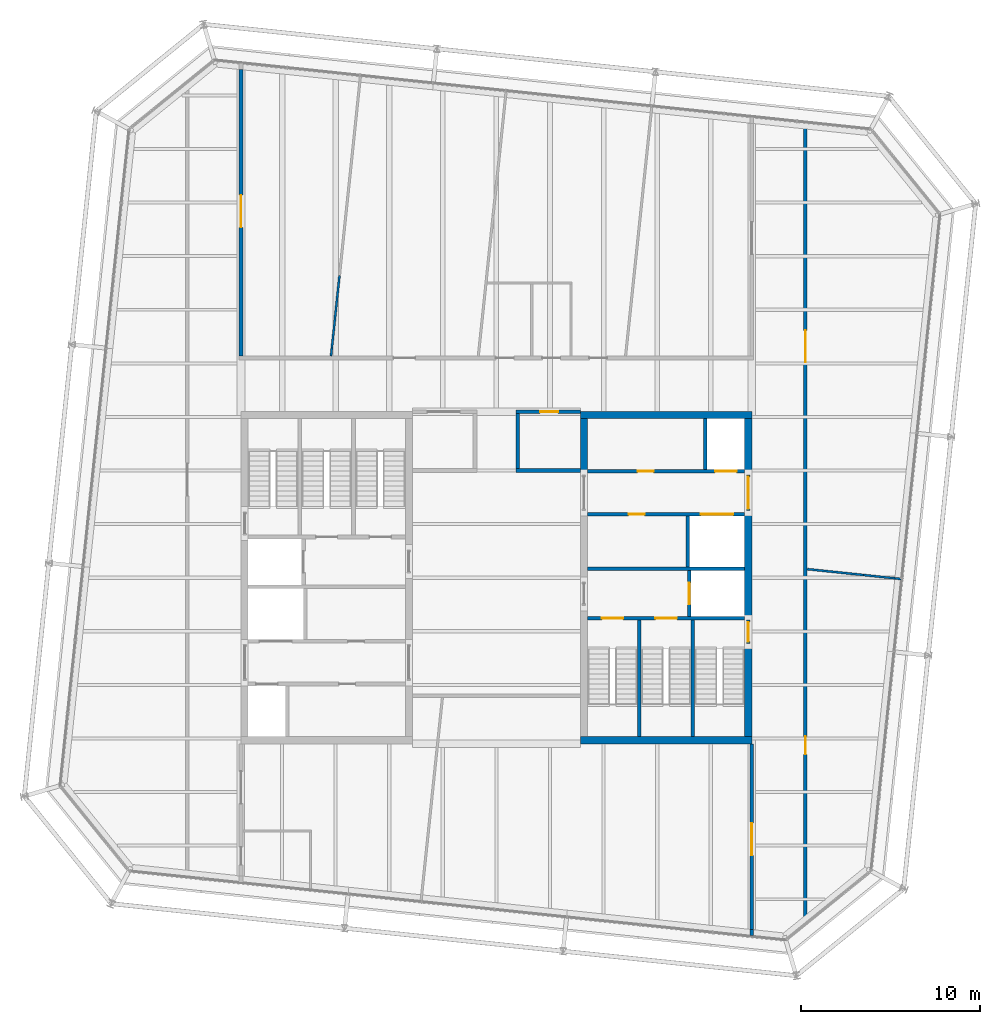
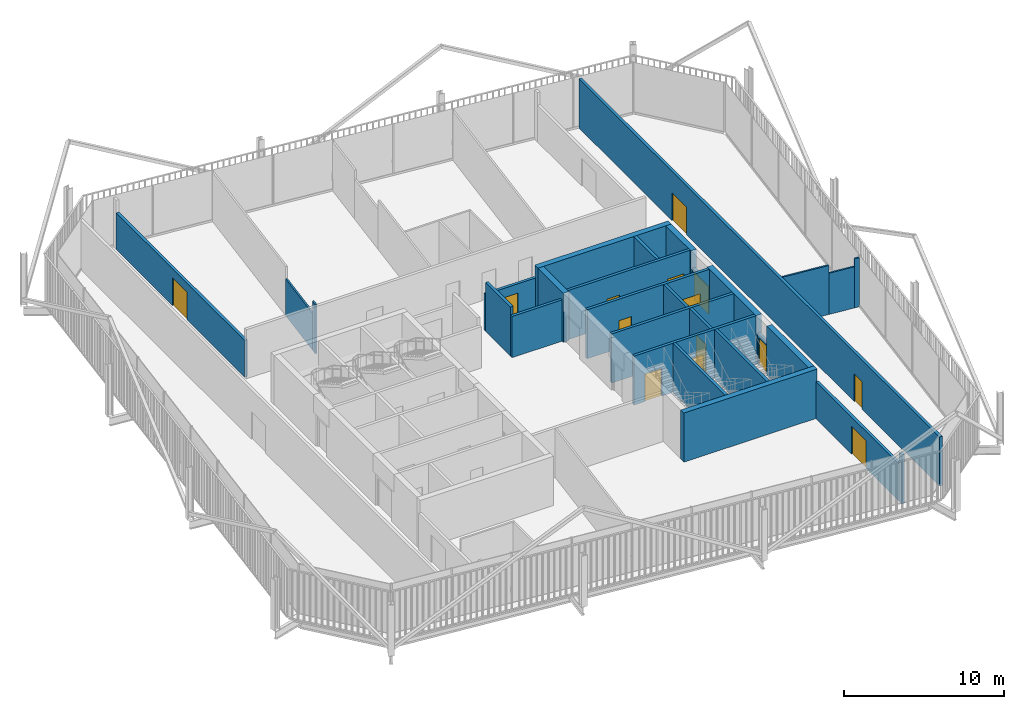
# One storey, part 18 of 21: 29 walls, 14 doors, 14 openings.
"""IFC4 building model written with IfcOpenShell, lengths in metres."""

from ifc_helpers import new_model, si_unit, direction, frame, frame_2d, origin, place, context, subcontext, project, spatial, rectangle, extrude, material, layer, layer_set, type_object, element, fill, save


model = new_model("IFC4")

# Units and contexts
model_context = context("Model", 3, precision=1e-05, world=origin(), true_north=direction((0.0, 1.0)))
body_context = subcontext(model_context, "Body", "Model", "MODEL_VIEW")
ifc_project = project(units=[si_unit("LENGTHUNIT", "METRE"), si_unit("AREAUNIT", "SQUARE_METRE"), si_unit("VOLUMEUNIT", "CUBIC_METRE"), si_unit("PLANEANGLEUNIT", "RADIAN"), si_unit("MASSUNIT", "GRAM", prefix="KILO")], contexts=[model_context])

# Site, building, storey
site_placement = place(None, origin())
site = spatial("IfcSite", under=ifc_project, at=site_placement, CompositionType="ELEMENT")
building_placement = place(site_placement, origin())
building = spatial("IfcBuilding", under=site, at=building_placement, Name="Millrace Tower", CompositionType="ELEMENT")
storey_placement = place(building_placement, frame((0.0, 0.0, 283.800048828125)))
storey = spatial("IfcBuildingStorey", under=building, at=storey_placement, Name="L65", CompositionType="ELEMENT", Elevation=283.800048828125)

# Walls
ifc_material_1 = material(Name="Concrete C60", Category="concrete")
ifc_layer_1 = layer(ifc_material_1, 0.39990234375)
ifc_layer_set_1 = layer_set([ifc_layer_1], Name="Concrete C60")
wall_type_1 = type_object("IfcWallType", Name="Core wall 400 Concrete C60", PredefinedType="SHEAR", material=ifc_layer_set_1)
for number, where, z_axis, x_axis, name in (
    (1, (14.300048828125, 9.10009765625, 0.0), (0.0, 0.0, 1.0), (-1.0, 0.0, 0.0), "Core wall E L65"),
    (2, (14.300048828125, -9.10009765625, 0.0), (0.0, 0.0, 1.0), (-1.0, 0.0, 0.0), "Core wall E L65"),
):
    element("IfcWall", number, at=place(storey_placement, frame(where, z_axis=z_axis, x_axis=x_axis)), inside=storey, type_object=wall_type_1, Name=name, PredefinedType="SHEAR", context=body_context, shape_type="SweptSolid", body=[
        extrude(rectangle(XDim=9.60009765625, YDim=0.39990234375, at=frame_2d((4.800048828125, 0.0))), origin(), (0.0, 0.0, 1.0), 3.739990234375),
    ])
wall_1_placement = place(storey_placement, frame((14.10009765625, 8.89990234375, 0.0), z_axis=(0.0, 0.0, 1.0), x_axis=(0.0, -1.0, 0.0)))
element("IfcWall", 3, at=wall_1_placement, inside=storey, type_object=wall_type_1, Name="Core wall E L65", PredefinedType="SHEAR", context=body_context, shape_type="SweptSolid", body=[
    extrude(rectangle(XDim=3.14990234375, YDim=0.39990234375, at=frame_2d((1.574951171875, 0.0))), origin(), (0.0, 0.0, 1.0), 3.739990234375),
])
wall_2_placement = place(storey_placement, frame((14.10009765625, 3.75, 0.0), z_axis=(0.0, 0.0, 1.0), x_axis=(0.0, -1.0, 0.0)))
element("IfcWall", 4, at=wall_2_placement, inside=storey, type_object=wall_type_1, Name="Core wall E L65", PredefinedType="SHEAR", context=body_context, shape_type="SweptSolid", body=[
    extrude(rectangle(XDim=6.1298828125, YDim=0.39990234375, at=frame_2d((3.06494140625, 0.0))), origin(), (0.0, 0.0, 1.0), 3.739990234375),
])
wall_3_placement = place(storey_placement, frame((14.10009765625, -3.679931640625, 0.0), z_axis=(0.0, 0.0, 1.0), x_axis=(0.0, -1.0, 0.0)))
element("IfcWall", 5, at=wall_3_placement, inside=storey, type_object=wall_type_1, Name="Core wall E L65", PredefinedType="SHEAR", context=body_context, shape_type="SweptSolid", body=[
    extrude(rectangle(XDim=5.219970703125, YDim=0.39990234375, at=frame_2d((2.60986328125, 0.0))), origin(), (0.0, 0.0, 1.0), 3.739990234375),
])
wall_4_placement = place(storey_placement, frame((4.89990234375, 8.89990234375, 0.0), z_axis=(0.0, 0.0, 1.0), x_axis=(0.0, -1.0, 0.0)))
element("IfcWall", 6, at=wall_4_placement, inside=storey, type_object=wall_type_1, Name="Core wall E L65", PredefinedType="SHEAR", context=body_context, shape_type="SweptSolid", body=[
    extrude(rectangle(XDim=3.14990234375, YDim=0.39990234375, at=frame_2d((1.574951171875, 0.0))), origin(), (0.0, 0.0, 1.0), 3.739990234375),
])
ifc_material_2 = material(Name="Masonry partition, fire-rated", Category="masonry")
ifc_layer_2 = layer(ifc_material_2, 0.199951171875)
ifc_layer_set_2 = layer_set([ifc_layer_2], Name="Masonry partition, fire-rated")
wall_type_2 = type_object("IfcWallType", Name="Corridor wall 200", PredefinedType="PARTITIONING", material=ifc_layer_set_2)
wall_5_placement = place(storey_placement, frame((1.10009765625, 6.0, 0.0), z_axis=(0.0, 0.0, 1.0), x_axis=(1.0, 0.0, 0.0)))
element("IfcWall", 7, at=wall_5_placement, inside=storey, type_object=wall_type_2, Name="Corridor wall L65", PredefinedType="PARTITIONING", context=body_context, shape_type="SweptSolid", body=[
    extrude(rectangle(XDim=3.599853515625, YDim=0.199951171875, at=frame_2d((1.7998046875, 0.0))), origin(), (0.0, 0.0, 1.0), 3.140625),
])

# Wall, opening, door
wall_6_placement = place(storey_placement, frame((1.10009765625, 9.300048828125, 0.0), z_axis=(0.0, 0.0, 1.0), x_axis=(1.0, 0.0, 0.0)))
wall_6 = element("IfcWall", 8, at=wall_6_placement, inside=storey, type_object=wall_type_2, Name="Corridor wall L65", PredefinedType="PARTITIONING", context=body_context, shape_type="SweptSolid", body=[
    extrude(rectangle(XDim=3.599853515625, YDim=0.199951171875, at=frame_2d((1.7998046875, 0.0))), origin(), (0.0, 0.0, 1.0), 2.812744140625),
])
opening_1_placement = place(wall_6_placement, frame((1.35009765625, 0.0, 0.0)))
opening_1 = element("IfcOpeningElement", 9, at=opening_1_placement, cuts=wall_6, Name="Opening 65-P002", PredefinedType="OPENING", context=body_context, shape_type="SweptSolid", body=[
    extrude(rectangle(XDim=1.0, YDim=2.10009765625, at=frame_2d((0.5, 1.050048828125))), frame((0.0, 0.10986328125, 0.0), z_axis=(0.0, -1.0, 0.0), x_axis=(1.0, 0.0, 0.0)), (0.0, 0.0, 1.0), 0.219970703125),
])
ifc_material_3 = material(Name="Steel door set, fire-rated", Category="steel")
door_type_1 = type_object("IfcDoorType", Name="Corridor door 1000 x 2100", OperationType="SINGLE_SWING_LEFT", PredefinedType="DOOR", material=ifc_material_3)
door_1_placement = place(opening_1_placement, frame((1.0, 0.0, 0.0), z_axis=(0.0, 0.0, 1.0), x_axis=(-1.0, 0.0, 0.0)))
door_1 = element("IfcDoor", 10, at=door_1_placement, inside=storey, type_object=door_type_1, Name="Door 65-P002", OperationType="SINGLE_SWING_LEFT", OverallHeight=2.10009765625, OverallWidth=1.0, PredefinedType="DOOR", context=body_context, shape_type="SweptSolid", body=[
    extrude(rectangle(XDim=1.0, YDim=2.10009765625, at=frame_2d((0.5, 1.050048828125))), frame((0.0, 0.02490234375, 0.0), z_axis=(0.0, -1.0, 0.0), x_axis=(1.0, 0.0, 0.0)), (0.0, 0.0, 1.0), 0.050048828125),
])
fill(opening_1, door_1)

# Wall, openings, doors
wall_7_placement = place(storey_placement, frame((17.300048828125, -19.5283203125, 0.0), z_axis=(0.0, 0.0, 1.0), x_axis=(0.0, 1.0, 0.0)))
wall_7 = element("IfcWall", 11, at=wall_7_placement, inside=storey, type_object=wall_type_2, Name="Corridor wall L65", PredefinedType="PARTITIONING", context=body_context, shape_type="SweptSolid", body=[
    extrude(rectangle(XDim=44.986572265625, YDim=0.199951171875, at=frame_2d((22.4931640625, 0.0))), origin(), (0.0, 0.0, 1.0), 3.739990234375),
])
opening_2_placement = place(wall_7_placement, frame((9.6416015625, 0.0, 0.0)))
opening_2 = element("IfcOpeningElement", 12, at=opening_2_placement, cuts=wall_7, Name="Opening 65-P010", PredefinedType="OPENING", context=body_context, shape_type="SweptSolid", body=[
    extrude(rectangle(XDim=1.0, YDim=2.10009765625, at=frame_2d((0.5, 1.050048828125))), frame((0.0, 0.10986328125, 0.0), z_axis=(0.0, -1.0, 0.0), x_axis=(1.0, 0.0, 0.0)), (0.0, 0.0, 1.0), 0.219970703125),
])
opening_3_placement = place(wall_7_placement, frame((31.57763671875, 0.0, 0.0)))
opening_3 = element("IfcOpeningElement", 13, at=opening_3_placement, cuts=wall_7, Name="Opening 65-P011", PredefinedType="OPENING", context=body_context, shape_type="SweptSolid", body=[
    extrude(rectangle(XDim=1.800048828125, YDim=2.10009765625, at=frame_2d((0.89990234375, 1.050048828125))), frame((0.0, 0.10986328125, 0.0), z_axis=(0.0, -1.0, 0.0), x_axis=(1.0, 0.0, 0.0)), (0.0, 0.0, 1.0), 0.219970703125),
])
door_2_placement = place(opening_2_placement, frame((1.0, 0.0, 0.0), z_axis=(0.0, 0.0, 1.0), x_axis=(-1.0, 0.0, 0.0)))
door_2 = element("IfcDoor", 14, at=door_2_placement, inside=storey, type_object=door_type_1, Name="Door 65-P010", OperationType="SINGLE_SWING_RIGHT", OverallHeight=2.10009765625, OverallWidth=1.0, PredefinedType="DOOR", context=body_context, shape_type="SweptSolid", body=[
    extrude(rectangle(XDim=1.0, YDim=2.10009765625, at=frame_2d((0.5, 1.050048828125))), frame((0.0, 0.02490234375, 0.0), z_axis=(0.0, -1.0, 0.0), x_axis=(1.0, 0.0, 0.0)), (0.0, 0.0, 1.0), 0.050048828125),
])
fill(opening_2, door_2)
ifc_material_4 = material(Name="Steel door set, fire-rated", Category="steel")
door_type_2 = type_object("IfcDoorType", Name="Corridor door 1800 x 2100", OperationType="DOUBLE_DOOR_SINGLE_SWING", PredefinedType="DOOR", material=ifc_material_4)
door_3_placement = place(opening_3_placement, origin())
door_3 = element("IfcDoor", 15, at=door_3_placement, inside=storey, type_object=door_type_2, Name="Door 65-P011", OperationType="DOUBLE_DOOR_SINGLE_SWING", OverallHeight=2.10009765625, OverallWidth=1.800048828125, PredefinedType="DOOR", context=body_context, shape_type="SweptSolid", body=[
    extrude(rectangle(XDim=1.800048828125, YDim=2.10009765625, at=frame_2d((0.89990234375, 1.050048828125))), frame((0.0, 0.02490234375, 0.0), z_axis=(0.0, -1.0, 0.0), x_axis=(1.0, 0.0, 0.0)), (0.0, 0.0, 1.0), 0.050048828125),
])
fill(opening_3, door_3)

# Wall
wall_8_placement = place(storey_placement, frame((14.300048828125, -20.037353515625, 0.0), z_axis=(0.0, 0.0, 1.0), x_axis=(0.0, 1.0, 0.0)))
element("IfcWall", 16, at=wall_8_placement, inside=storey, type_object=wall_type_2, Name="Corridor wall L65", PredefinedType="PARTITIONING", context=body_context, shape_type="SweptSolid", body=[
    extrude(rectangle(XDim=0.339111328125, YDim=0.199951171875, at=frame_2d((0.16943359375, 0.0))), origin(), (0.0, 0.0, 1.0), 3.739990234375),
])

# Wall, opening, door
wall_9_placement = place(storey_placement, frame((14.300048828125, -19.6982421875, 0.0), z_axis=(0.0, 0.0, 1.0), x_axis=(0.0, 1.0, 0.0)))
wall_9 = element("IfcWall", 17, at=wall_9_placement, inside=storey, type_object=wall_type_2, Name="Corridor wall L65", PredefinedType="PARTITIONING", context=body_context, shape_type="SweptSolid", body=[
    extrude(rectangle(XDim=10.398193359375, YDim=0.199951171875, at=frame_2d((5.19921875, 0.0))), origin(), (0.0, 0.0, 1.0), 2.812744140625),
])
opening_4_placement = place(wall_9_placement, frame((4.15478515625, 0.0, 0.0)))
opening_4 = element("IfcOpeningElement", 18, at=opening_4_placement, cuts=wall_9, Name="Opening 65-P014", PredefinedType="OPENING", context=body_context, shape_type="SweptSolid", body=[
    extrude(rectangle(XDim=1.800048828125, YDim=2.10009765625, at=frame_2d((0.89990234375, 1.050048828125))), frame((0.0, 0.10986328125, 0.0), z_axis=(0.0, -1.0, 0.0), x_axis=(1.0, 0.0, 0.0)), (0.0, 0.0, 1.0), 0.219970703125),
])
door_4_placement = place(opening_4_placement, frame((1.800048828125, 0.0, 0.0), z_axis=(0.0, 0.0, 1.0), x_axis=(-1.0, 0.0, 0.0)))
door_4 = element("IfcDoor", 19, at=door_4_placement, inside=storey, type_object=door_type_2, Name="Door 65-P014", OperationType="DOUBLE_DOOR_SINGLE_SWING", OverallHeight=2.10009765625, OverallWidth=1.800048828125, PredefinedType="DOOR", context=body_context, shape_type="SweptSolid", body=[
    extrude(rectangle(XDim=1.800048828125, YDim=2.10009765625, at=frame_2d((0.89990234375, 1.050048828125))), frame((0.0, 0.02490234375, 0.0), z_axis=(0.0, -1.0, 0.0), x_axis=(1.0, 0.0, 0.0)), (0.0, 0.0, 1.0), 0.050048828125),
])
fill(opening_4, door_4)

# Wall
wall_10_placement = place(storey_placement, frame((1.199951171875, 6.10009765625, 0.0), z_axis=(0.0, 0.0, 1.0), x_axis=(0.0, 1.0, 0.0)))
element("IfcWall", 20, at=wall_10_placement, inside=storey, type_object=wall_type_2, Name="Corridor wall L65", PredefinedType="PARTITIONING", context=body_context, shape_type="SweptSolid", body=[
    extrude(rectangle(XDim=3.099853515625, YDim=0.199951171875, at=frame_2d((1.5498046875, 0.0))), origin(), (0.0, 0.0, 1.0), 3.739990234375),
])

# Wall, opening, door
wall_11_placement = place(storey_placement, frame((-14.300048828125, 12.39990234375, 0.0), z_axis=(0.0, 0.0, 1.0), x_axis=(0.0, 1.0, 0.0)))
wall_11 = element("IfcWall", 21, at=wall_11_placement, inside=storey, type_object=wall_type_2, Name="Corridor wall L65", PredefinedType="PARTITIONING", context=body_context, shape_type="SweptSolid", body=[
    extrude(rectangle(XDim=16.040283203125, YDim=0.199951171875, at=frame_2d((8.02001953125, 0.0))), origin(), (0.0, 0.0, 1.0), 2.79248046875),
])
opening_5_placement = place(wall_11_placement, frame((7.214599609375, 0.0, 0.0)))
opening_5 = element("IfcOpeningElement", 22, at=opening_5_placement, cuts=wall_11, Name="Opening 65-P004", PredefinedType="OPENING", context=body_context, shape_type="SweptSolid", body=[
    extrude(rectangle(XDim=1.800048828125, YDim=2.10009765625, at=frame_2d((0.89990234375, 1.050048828125))), frame((0.0, 0.10986328125, 0.0), z_axis=(0.0, -1.0, 0.0), x_axis=(1.0, 0.0, 0.0)), (0.0, 0.0, 1.0), 0.219970703125),
])
door_5_placement = place(opening_5_placement, frame((1.800048828125, 0.0, 0.0), z_axis=(0.0, 0.0, 1.0), x_axis=(-1.0, 0.0, 0.0)))
door_5 = element("IfcDoor", 23, at=door_5_placement, inside=storey, type_object=door_type_2, Name="Door 65-P004", OperationType="DOUBLE_DOOR_SINGLE_SWING", OverallHeight=2.10009765625, OverallWidth=1.800048828125, PredefinedType="DOOR", context=body_context, shape_type="SweptSolid", body=[
    extrude(rectangle(XDim=1.800048828125, YDim=2.10009765625, at=frame_2d((0.89990234375, 1.050048828125))), frame((0.0, 0.02490234375, 0.0), z_axis=(0.0, -1.0, 0.0), x_axis=(1.0, 0.0, 0.0)), (0.0, 0.0, 1.0), 0.050048828125),
])
fill(opening_5, door_5)

# Wall, openings, doors
ifc_material_5 = material(Name="Masonry partition, fire-rated", Category="masonry")
ifc_layer_3 = layer(ifc_material_5, 0.199951171875)
ifc_layer_set_3 = layer_set([ifc_layer_3], Name="Masonry partition, fire-rated")
wall_type_3 = type_object("IfcWallType", Name="Lift shaft wall 200", PredefinedType="PARTITIONING", material=ifc_layer_set_3)
wall_12_placement = place(storey_placement, frame((13.89990234375, 5.949951171875, 0.0), z_axis=(0.0, 0.0, 1.0), x_axis=(-1.0, 0.0, 0.0)))
wall_12 = element("IfcWall", 24, at=wall_12_placement, inside=storey, type_object=wall_type_3, Name="Lift shaft wall E L65", PredefinedType="PARTITIONING", context=body_context, shape_type="SweptSolid", body=[
    extrude(rectangle(XDim=8.7998046875, YDim=0.199951171875, at=frame_2d((4.39990234375, 0.0))), origin(), (0.0, 0.0, 1.0), 3.739990234375),
])
opening_6_placement = place(wall_12_placement, frame((0.449951171875, 0.0, 0.0)))
opening_6 = element("IfcOpeningElement", 25, at=opening_6_placement, cuts=wall_12, Name="Opening 65-LD09", PredefinedType="OPENING", context=body_context, shape_type="SweptSolid", body=[
    extrude(rectangle(XDim=1.199951171875, YDim=2.10009765625, at=frame_2d((0.60009765625, 1.050048828125))), frame((0.0, 0.10986328125, 0.0), z_axis=(0.0, -1.0, 0.0), x_axis=(1.0, 0.0, 0.0)), (0.0, 0.0, 1.0), 0.219970703125),
])
opening_7_placement = place(wall_12_placement, frame((5.10009765625, 0.0, 0.0)))
opening_7 = element("IfcOpeningElement", 26, at=opening_7_placement, cuts=wall_12, Name="Opening 65-C013", PredefinedType="OPENING", context=body_context, shape_type="SweptSolid", body=[
    extrude(rectangle(XDim=0.89990234375, YDim=2.10009765625, at=frame_2d((0.449951171875, 1.050048828125))), frame((0.0, 0.10986328125, 0.0), z_axis=(0.0, -1.0, 0.0), x_axis=(1.0, 0.0, 0.0)), (0.0, 0.0, 1.0), 0.219970703125),
])
ifc_material_6 = material(Name="Stainless steel, fire-rated", Category="steel")
door_type_3 = type_object("IfcDoorType", Name="Lift landing door 1200 x 2100", OperationType="DOUBLE_DOOR_SLIDING", PredefinedType="DOOR", material=ifc_material_6)
door_6_placement = place(opening_6_placement, origin())
door_6 = element("IfcDoor", 27, at=door_6_placement, inside=storey, type_object=door_type_3, Name="Lift landing door LF9 L65", OperationType="DOUBLE_DOOR_SLIDING", OverallHeight=2.10009765625, OverallWidth=1.199951171875, PredefinedType="DOOR", context=body_context, shape_type="SweptSolid", body=[
    extrude(rectangle(XDim=1.199951171875, YDim=2.10009765625, at=frame_2d((0.60009765625, 1.050048828125))), frame((0.0, 0.02490234375, 0.0), z_axis=(0.0, -1.0, 0.0), x_axis=(1.0, 0.0, 0.0)), (0.0, 0.0, 1.0), 0.050048828125),
])
fill(opening_6, door_6)
ifc_material_7 = material(Name="Steel door, fire-rated", Category="steel")
door_type_4 = type_object("IfcDoorType", Name="Service room door 900 x 2100", OperationType="SINGLE_SWING_LEFT", PredefinedType="DOOR", material=ifc_material_7)
door_7_placement = place(opening_7_placement, frame((0.89990234375, 0.0, 0.0), z_axis=(0.0, 0.0, 1.0), x_axis=(-1.0, 0.0, 0.0)))
door_7 = element("IfcDoor", 28, at=door_7_placement, inside=storey, type_object=door_type_4, Name="Service room door 65-C013", OperationType="SINGLE_SWING_LEFT", OverallHeight=2.10009765625, OverallWidth=0.89990234375, PredefinedType="DOOR", context=body_context, shape_type="SweptSolid", body=[
    extrude(rectangle(XDim=0.89990234375, YDim=2.10009765625, at=frame_2d((0.449951171875, 1.050048828125))), frame((0.0, 0.02490234375, 0.0), z_axis=(0.0, -1.0, 0.0), x_axis=(1.0, 0.0, 0.0)), (0.0, 0.0, 1.0), 0.050048828125),
])
fill(opening_7, door_7)

wall_13_placement = place(storey_placement, frame((13.89990234375, 3.550048828125, 0.0), z_axis=(0.0, 0.0, 1.0), x_axis=(-1.0, 0.0, 0.0)))
wall_13 = element("IfcWall", 29, at=wall_13_placement, inside=storey, type_object=wall_type_3, Name="Lift shaft wall E L65", PredefinedType="PARTITIONING", context=body_context, shape_type="SweptSolid", body=[
    extrude(rectangle(XDim=8.7998046875, YDim=0.199951171875, at=frame_2d((4.39990234375, 0.0))), origin(), (0.0, 0.0, 1.0), 3.739990234375),
])
opening_8_placement = place(wall_13_placement, frame((0.64990234375, 0.0, 0.0)))
opening_8 = element("IfcOpeningElement", 30, at=opening_8_placement, cuts=wall_13, Name="Opening 65-LD13", PredefinedType="OPENING", context=body_context, shape_type="SweptSolid", body=[
    extrude(rectangle(XDim=1.800048828125, YDim=2.10009765625, at=frame_2d((0.89990234375, 1.050048828125))), frame((0.0, 0.10986328125, 0.0), z_axis=(0.0, -1.0, 0.0), x_axis=(1.0, 0.0, 0.0)), (0.0, 0.0, 1.0), 0.219970703125),
])
opening_9_placement = place(wall_13_placement, frame((5.60009765625, 0.0, 0.0)))
opening_9 = element("IfcOpeningElement", 31, at=opening_9_placement, cuts=wall_13, Name="Opening 65-C014", PredefinedType="OPENING", context=body_context, shape_type="SweptSolid", body=[
    extrude(rectangle(XDim=0.89990234375, YDim=2.10009765625, at=frame_2d((0.449951171875, 1.050048828125))), frame((0.0, 0.10986328125, 0.0), z_axis=(0.0, -1.0, 0.0), x_axis=(1.0, 0.0, 0.0)), (0.0, 0.0, 1.0), 0.219970703125),
])
ifc_material_8 = material(Name="Stainless steel, fire-rated", Category="steel")
door_type_5 = type_object("IfcDoorType", Name="Lift landing door 1800 x 2100", OperationType="DOUBLE_DOOR_SLIDING", PredefinedType="DOOR", material=ifc_material_8)
door_8_placement = place(opening_8_placement, origin())
door_8 = element("IfcDoor", 32, at=door_8_placement, inside=storey, type_object=door_type_5, Name="Lift landing door LF13 L65", OperationType="DOUBLE_DOOR_SLIDING", OverallHeight=2.10009765625, OverallWidth=1.800048828125, PredefinedType="DOOR", context=body_context, shape_type="SweptSolid", body=[
    extrude(rectangle(XDim=1.800048828125, YDim=2.10009765625, at=frame_2d((0.89990234375, 1.050048828125))), frame((0.0, 0.02490234375, 0.0), z_axis=(0.0, -1.0, 0.0), x_axis=(1.0, 0.0, 0.0)), (0.0, 0.0, 1.0), 0.050048828125),
])
fill(opening_8, door_8)
door_9_placement = place(opening_9_placement, origin())
door_9 = element("IfcDoor", 33, at=door_9_placement, inside=storey, type_object=door_type_4, Name="Service room door 65-C014", OperationType="SINGLE_SWING_RIGHT", OverallHeight=2.10009765625, OverallWidth=0.89990234375, PredefinedType="DOOR", context=body_context, shape_type="SweptSolid", body=[
    extrude(rectangle(XDim=0.89990234375, YDim=2.10009765625, at=frame_2d((0.449951171875, 1.050048828125))), frame((0.0, 0.02490234375, 0.0), z_axis=(0.0, -1.0, 0.0), x_axis=(1.0, 0.0, 0.0)), (0.0, 0.0, 1.0), 0.050048828125),
])
fill(opening_9, door_9)

# Wall
wall_14_placement = place(storey_placement, frame((13.89990234375, 0.5, 0.0), z_axis=(0.0, 0.0, 1.0), x_axis=(-1.0, 0.0, 0.0)))
element("IfcWall", 34, at=wall_14_placement, inside=storey, type_object=wall_type_3, Name="Lift shaft wall E L65", PredefinedType="PARTITIONING", context=body_context, shape_type="SweptSolid", body=[
    extrude(rectangle(XDim=8.7998046875, YDim=0.199951171875, at=frame_2d((4.39990234375, 0.0))), origin(), (0.0, 0.0, 1.0), 3.739990234375),
])

# Wall, opening, door
wall_15_placement = place(storey_placement, frame((10.800048828125, 0.39990234375, 0.0), z_axis=(0.0, 0.0, 1.0), x_axis=(0.0, -1.0, 0.0)))
wall_15 = element("IfcWall", 35, at=wall_15_placement, inside=storey, type_object=wall_type_3, Name="Lift shaft wall E L65", PredefinedType="PARTITIONING", context=body_context, shape_type="SweptSolid", body=[
    extrude(rectangle(XDim=2.579833984375, YDim=0.199951171875, at=frame_2d((1.2900390625, 0.0))), origin(), (0.0, 0.0, 1.0), 3.739990234375),
])
opening_10_placement = place(wall_15_placement, frame((0.68994140625, 0.0, 0.0)))
opening_10 = element("IfcOpeningElement", 36, at=opening_10_placement, cuts=wall_15, Name="Opening 65-LD16", PredefinedType="OPENING", context=body_context, shape_type="SweptSolid", body=[
    extrude(rectangle(XDim=1.199951171875, YDim=2.10009765625, at=frame_2d((0.60009765625, 1.050048828125))), frame((0.0, 0.10986328125, 0.0), z_axis=(0.0, -1.0, 0.0), x_axis=(1.0, 0.0, 0.0)), (0.0, 0.0, 1.0), 0.219970703125),
])
door_10_placement = place(opening_10_placement, origin())
door_10 = element("IfcDoor", 37, at=door_10_placement, inside=storey, type_object=door_type_3, Name="Lift landing door LF16 L65", OperationType="DOUBLE_DOOR_SLIDING", OverallHeight=2.10009765625, OverallWidth=1.199951171875, PredefinedType="DOOR", context=body_context, shape_type="SweptSolid", body=[
    extrude(rectangle(XDim=1.199951171875, YDim=2.10009765625, at=frame_2d((0.60009765625, 1.050048828125))), frame((0.0, 0.02490234375, 0.0), z_axis=(0.0, -1.0, 0.0), x_axis=(1.0, 0.0, 0.0)), (0.0, 0.0, 1.0), 0.050048828125),
])
fill(opening_10, door_10)

# Walls
for number, where, z_axis, x_axis, name in (
    (38, (11.699951171875, 8.89990234375, 0.0), (0.0, 0.0, 1.0), (0.0, -1.0, 0.0), "Lift shaft wall E L65"),
    (39, (10.699951171875, 3.449951171875, 0.0), (0.0, 0.0, 1.0), (0.0, -1.0, 0.0), "Lift shaft wall E L65"),
):
    element("IfcWall", number, at=place(storey_placement, frame(where, z_axis=z_axis, x_axis=x_axis)), inside=storey, type_object=wall_type_3, Name=name, PredefinedType="PARTITIONING", context=body_context, shape_type="SweptSolid", body=[
        extrude(rectangle(XDim=2.849853515625, YDim=0.199951171875, at=frame_2d((1.4248046875, 0.0))), origin(), (0.0, 0.0, 1.0), 3.739990234375),
    ])

# Wall, opening, door
ifc_material_9 = material(Name="Masonry partition, fire-rated", Category="masonry")
ifc_layer_4 = layer(ifc_material_9, 0.199951171875)
ifc_layer_set_4 = layer_set([ifc_layer_4], Name="Masonry partition, fire-rated")
wall_type_4 = type_object("IfcWallType", Name="Lobby wall 200", PredefinedType="PARTITIONING", material=ifc_layer_set_4)
wall_16_placement = place(storey_placement, frame((14.10009765625, 5.75, 0.0), z_axis=(0.0, 0.0, 1.0), x_axis=(0.0, -1.0, 0.0)))
wall_16 = element("IfcWall", 40, at=wall_16_placement, inside=storey, type_object=wall_type_4, Name="Lobby wall E L65", PredefinedType="PARTITIONING", context=body_context, shape_type="SweptSolid", body=[
    extrude(rectangle(XDim=2.0, YDim=0.199951171875, at=frame_2d((1.0, 0.0))), origin(), (0.0, 0.0, 1.0), 2.39990234375),
])
opening_11_placement = place(wall_16_placement, frame((0.10009765625, 0.0, 0.0)))
opening_11 = element("IfcOpeningElement", 41, at=opening_11_placement, cuts=wall_16, Name="Opening 65-C009", PredefinedType="OPENING", context=body_context, shape_type="SweptSolid", body=[
    extrude(rectangle(XDim=1.800048828125, YDim=2.10009765625, at=frame_2d((0.89990234375, 1.050048828125))), frame((0.0, 0.10986328125, 0.0), z_axis=(0.0, -1.0, 0.0), x_axis=(1.0, 0.0, 0.0)), (0.0, 0.0, 1.0), 0.219970703125),
])
ifc_material_10 = material(Name="Steel door, fire-rated", Category="steel")
door_type_6 = type_object("IfcDoorType", Name="Lobby door 1800 x 2100", OperationType="DOUBLE_DOOR_SINGLE_SWING", PredefinedType="DOOR", material=ifc_material_10)
door_11_placement = place(opening_11_placement, origin())
door_11 = element("IfcDoor", 42, at=door_11_placement, inside=storey, type_object=door_type_6, Name="Lobby door 65-C009", OperationType="DOUBLE_DOOR_SINGLE_SWING", OverallHeight=2.10009765625, OverallWidth=1.800048828125, PredefinedType="DOOR", context=body_context, shape_type="SweptSolid", body=[
    extrude(rectangle(XDim=1.800048828125, YDim=2.10009765625, at=frame_2d((0.89990234375, 1.050048828125))), frame((0.0, 0.02490234375, 0.0), z_axis=(0.0, -1.0, 0.0), x_axis=(1.0, 0.0, 0.0)), (0.0, 0.0, 1.0), 0.050048828125),
])
fill(opening_11, door_11)

# Walls
ifc_material_11 = material(Name="Gypsum board partition")
ifc_layer_5 = layer(ifc_material_11, 0.1201171875)
ifc_layer_set_5 = layer_set([ifc_layer_5], Name="Gypsum board partition")
wall_type_5 = type_object("IfcWallType", Name="Partition wall 120", PredefinedType="PARTITIONING", material=ifc_layer_set_5)
wall_17_placement = place(storey_placement, frame((17.3994140625, 0.48046875, 0.0), z_axis=(0.0, 0.0, 1.0), x_axis=(0.994526077067, -0.104488669403, 0.0)))
element("IfcWall", 43, at=wall_17_placement, inside=storey, type_object=wall_type_5, Name="Partition wall L65", PredefinedType="PARTITIONING", context=body_context, shape_type="SweptSolid", body=[
    extrude(rectangle(XDim=3.17529296875, YDim=0.1201171875, at=frame_2d((1.587646484375, 0.0))), origin(), (0.0, 0.0, 1.0), 3.739990234375),
])
wall_18_placement = place(storey_placement, frame((20.557373046875, 0.148681640625, 0.0), z_axis=(0.0, 0.0, 1.0), x_axis=(0.99452965292, -0.104454628731, 0.0)))
element("IfcWall", 44, at=wall_18_placement, inside=storey, type_object=wall_type_5, Name="Partition wall L65", PredefinedType="PARTITIONING", context=body_context, shape_type="SweptSolid", body=[
    extrude(rectangle(XDim=1.76708984375, YDim=0.1201171875, at=frame_2d((0.883544921875, 0.0))), origin(), (0.0, 0.0, 1.0), 3.140625),
])
wall_19_placement = place(storey_placement, frame((22.314697265625, -0.035888671875, 0.0), z_axis=(0.0, 0.0, 1.0), x_axis=(0.994476864797, -0.104956016419, 0.0)))
element("IfcWall", 45, at=wall_19_placement, inside=storey, type_object=wall_type_5, Name="Partition wall L65", PredefinedType="PARTITIONING", context=body_context, shape_type="SweptSolid", body=[
    extrude(rectangle(XDim=0.327880859375, YDim=0.1201171875, at=frame_2d((0.1640625, 0.0))), origin(), (0.0, 0.0, 1.0), 3.739990234375),
])
wall_20_placement = place(storey_placement, frame((-9.260498046875, 12.3994140625, 0.0), z_axis=(0.0, 0.0, 1.0), x_axis=(0.104319005638, 0.994543887952, 0.0)))
element("IfcWall", 46, at=wall_20_placement, inside=storey, type_object=wall_type_5, Name="Partition wall L65", PredefinedType="PARTITIONING", context=body_context, shape_type="SweptSolid", body=[
    extrude(rectangle(XDim=0.45166015625, YDim=0.1201171875, at=frame_2d((0.225830078125, 0.0))), origin(), (0.0, 0.0, 1.0), 3.739990234375),
])
wall_21_placement = place(storey_placement, frame((-9.21337890625, 12.8486328125, 0.0), z_axis=(0.0, 0.0, 1.0), x_axis=(0.104547794158, 0.99451986342, 0.0)))
element("IfcWall", 47, at=wall_21_placement, inside=storey, type_object=wall_type_5, Name="Partition wall L65", PredefinedType="PARTITIONING", context=body_context, shape_type="SweptSolid", body=[
    extrude(rectangle(XDim=4.08203125, YDim=0.1201171875, at=frame_2d((2.041015625, 0.0))), origin(), (0.0, 0.0, 1.0), 2.812744140625),
])

# Wall, opening, door
ifc_material_12 = material(Name="Concrete C40", Category="concrete")
ifc_layer_6 = layer(ifc_material_12, 0.199951171875)
ifc_layer_set_6 = layer_set([ifc_layer_6], Name="Concrete C40")
wall_type_6 = type_object("IfcWallType", Name="Stair enclosure wall 200 Concrete C40", PredefinedType="SHEAR", material=ifc_layer_set_6)
wall_22_placement = place(storey_placement, frame((14.10009765625, -2.3798828125, 0.0), z_axis=(0.0, 0.0, 1.0), x_axis=(0.0, -1.0, 0.0)))
wall_22 = element("IfcWall", 48, at=wall_22_placement, inside=storey, type_object=wall_type_6, Name="Stair enclosure wall E L65", PredefinedType="SHEAR", context=body_context, shape_type="SweptSolid", body=[
    extrude(rectangle(XDim=1.300048828125, YDim=0.199951171875, at=frame_2d((0.64990234375, 0.0))), origin(), (0.0, 0.0, 1.0), 2.39990234375),
])
opening_12_placement = place(wall_22_placement, frame((0.10009765625, 0.0, 0.0)))
opening_12 = element("IfcOpeningElement", 49, at=opening_12_placement, cuts=wall_22, Name="Opening 65-C010", PredefinedType="OPENING", context=body_context, shape_type="SweptSolid", body=[
    extrude(rectangle(XDim=1.10009765625, YDim=2.10009765625, at=frame_2d((0.550048828125, 1.050048828125))), frame((0.0, 0.10986328125, 0.0), z_axis=(0.0, -1.0, 0.0), x_axis=(1.0, 0.0, 0.0)), (0.0, 0.0, 1.0), 0.219970703125),
])
ifc_material_13 = material(Name="Steel door, fire-rated", Category="steel")
door_type_7 = type_object("IfcDoorType", Name="Stair door 1100 x 2100", OperationType="SINGLE_SWING_LEFT", PredefinedType="DOOR", material=ifc_material_13)
door_12_placement = place(opening_12_placement, origin())
door_12 = element("IfcDoor", 50, at=door_12_placement, inside=storey, type_object=door_type_7, Name="Stair door 65-C010", OperationType="SINGLE_SWING_LEFT", OverallHeight=2.10009765625, OverallWidth=1.10009765625, PredefinedType="DOOR", context=body_context, shape_type="SweptSolid", body=[
    extrude(rectangle(XDim=1.10009765625, YDim=2.10009765625, at=frame_2d((0.550048828125, 1.050048828125))), frame((0.0, 0.02490234375, 0.0), z_axis=(0.0, -1.0, 0.0), x_axis=(1.0, 0.0, 0.0)), (0.0, 0.0, 1.0), 0.050048828125),
])
fill(opening_12, door_12)

# Wall, openings, doors
wall_23_placement = place(storey_placement, frame((13.89990234375, -2.280029296875, 0.0), z_axis=(0.0, 0.0, 1.0), x_axis=(-1.0, 0.0, 0.0)))
wall_23 = element("IfcWall", 51, at=wall_23_placement, inside=storey, type_object=wall_type_6, Name="Stair enclosure wall E L65", PredefinedType="SHEAR", context=body_context, shape_type="SweptSolid", body=[
    extrude(rectangle(XDim=8.7998046875, YDim=0.199951171875, at=frame_2d((4.39990234375, 0.0))), origin(), (0.0, 0.0, 1.0), 3.739990234375),
])
opening_13_placement = place(wall_23_placement, frame((3.800048828125, 0.0, 0.0)))
opening_13 = element("IfcOpeningElement", 52, at=opening_13_placement, cuts=wall_23, Name="Opening 65-C015", PredefinedType="OPENING", context=body_context, shape_type="SweptSolid", body=[
    extrude(rectangle(XDim=1.199951171875, YDim=2.10009765625, at=frame_2d((0.60009765625, 1.050048828125))), frame((0.0, 0.10986328125, 0.0), z_axis=(0.0, -1.0, 0.0), x_axis=(1.0, 0.0, 0.0)), (0.0, 0.0, 1.0), 0.219970703125),
])
opening_14_placement = place(wall_23_placement, frame((6.800048828125, 0.0, 0.0)))
opening_14 = element("IfcOpeningElement", 53, at=opening_14_placement, cuts=wall_23, Name="Opening 65-C016", PredefinedType="OPENING", context=body_context, shape_type="SweptSolid", body=[
    extrude(rectangle(XDim=1.199951171875, YDim=2.10009765625, at=frame_2d((0.60009765625, 1.050048828125))), frame((0.0, 0.10986328125, 0.0), z_axis=(0.0, -1.0, 0.0), x_axis=(1.0, 0.0, 0.0)), (0.0, 0.0, 1.0), 0.219970703125),
])
ifc_material_14 = material(Name="Steel door, fire-rated", Category="steel")
door_type_8 = type_object("IfcDoorType", Name="Stair door 1200 x 2100", OperationType="SINGLE_SWING_LEFT", PredefinedType="DOOR", material=ifc_material_14)
door_13_placement = place(opening_13_placement, frame((1.199951171875, 0.0, 0.0), z_axis=(0.0, 0.0, 1.0), x_axis=(-1.0, 0.0, 0.0)))
door_13 = element("IfcDoor", 54, at=door_13_placement, inside=storey, type_object=door_type_8, Name="Stair door 65-C015", OperationType="SINGLE_SWING_RIGHT", OverallHeight=2.10009765625, OverallWidth=1.199951171875, PredefinedType="DOOR", context=body_context, shape_type="SweptSolid", body=[
    extrude(rectangle(XDim=1.199951171875, YDim=2.10009765625, at=frame_2d((0.60009765625, 1.050048828125))), frame((0.0, 0.02490234375, 0.0), z_axis=(0.0, -1.0, 0.0), x_axis=(1.0, 0.0, 0.0)), (0.0, 0.0, 1.0), 0.050048828125),
])
fill(opening_13, door_13)
door_14_placement = place(opening_14_placement, frame((1.199951171875, 0.0, 0.0), z_axis=(0.0, 0.0, 1.0), x_axis=(-1.0, 0.0, 0.0)))
door_14 = element("IfcDoor", 55, at=door_14_placement, inside=storey, type_object=door_type_8, Name="Stair door 65-C016", OperationType="SINGLE_SWING_LEFT", OverallHeight=2.10009765625, OverallWidth=1.199951171875, PredefinedType="DOOR", context=body_context, shape_type="SweptSolid", body=[
    extrude(rectangle(XDim=1.199951171875, YDim=2.10009765625, at=frame_2d((0.60009765625, 1.050048828125))), frame((0.0, 0.02490234375, 0.0), z_axis=(0.0, -1.0, 0.0), x_axis=(1.0, 0.0, 0.0)), (0.0, 0.0, 1.0), 0.050048828125),
])
fill(opening_14, door_14)

# Walls
for number, where, z_axis, x_axis, name in (
    (56, (11.0, -2.3798828125, 0.0), (0.0, 0.0, 1.0), (0.0, -1.0, 0.0), "Stair enclosure wall E L65"),
    (57, (8.0, -2.3798828125, 0.0), (0.0, 0.0, 1.0), (0.0, -1.0, 0.0), "Stair enclosure wall E L65"),
):
    element("IfcWall", number, at=place(storey_placement, frame(where, z_axis=z_axis, x_axis=x_axis)), inside=storey, type_object=wall_type_6, Name=name, PredefinedType="SHEAR", context=body_context, shape_type="SweptSolid", body=[
        extrude(rectangle(XDim=6.52001953125, YDim=0.199951171875, at=frame_2d((3.260009765625, 0.0))), origin(), (0.0, 0.0, 1.0), 3.739990234375),
    ])

save(model, "model.ifc")
